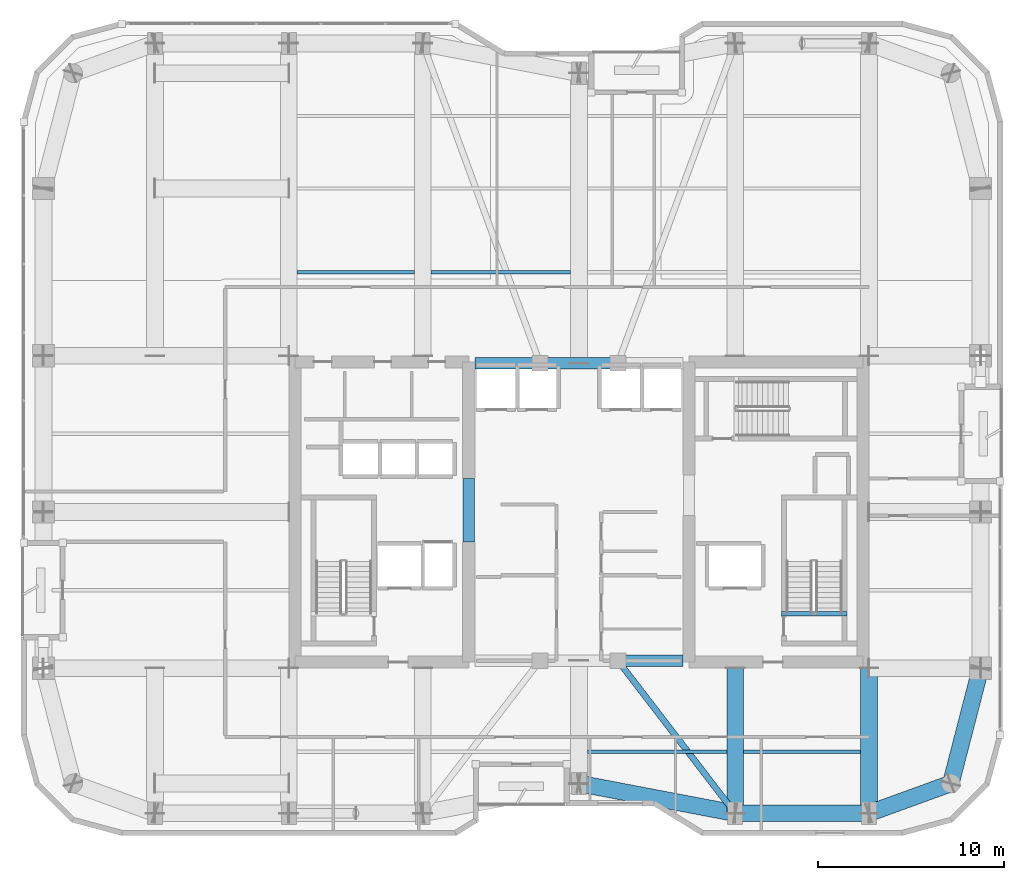
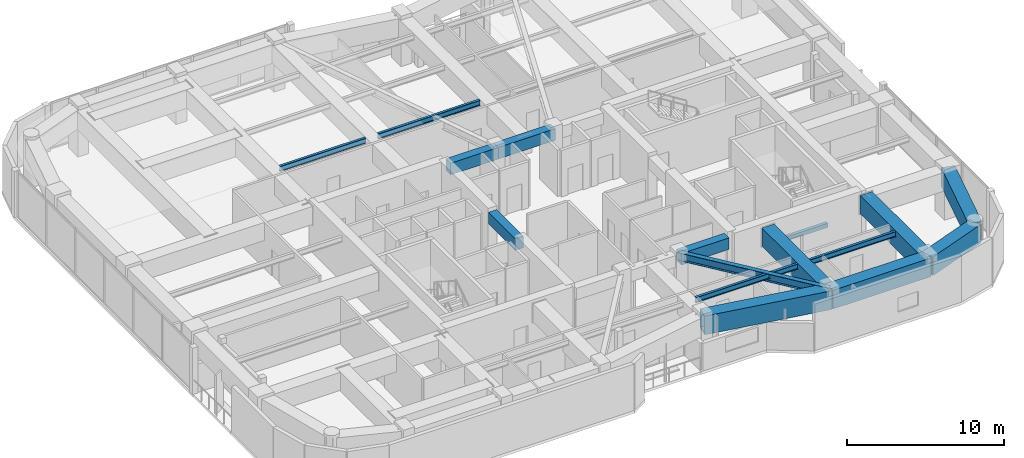
# One storey, part 8 of 30: 16 beams.
"""IFC4 building model written with IfcOpenShell, lengths in metres."""

import ifcopenshell
import ifcopenshell.guid

model = None  # the IFC model being written
_history = None  # IfcOwnerHistory: only IFC2X3 demands one
_inside = {}  # id of a spatial element -> (the spatial element, [elements in it])
_under = {}  # id of a project, library or spatial element -> (it, [spatial elements below it])
_declared = {}  # id of a project -> (the project, [libraries it declares])
_typed = {}  # id of a type object -> (the type object, [elements of that type])
_made_of = {}  # id of a material, layer set ... -> (it, [elements and type objects made of it])


def new_model(schema):
    """Start an empty IFC model of exactly this schema.

    Asked for "IFC4X3", IfcOpenShell would pick the latest addendum, in which some entities
    have other attributes; the version numbers below select the first issue.
    IFC2X3 requires an IfcOwnerHistory on every rooted entity: one is made here for all.
    """
    global model, _history
    if schema == "IFC4X3":
        model = ifcopenshell.file(schema_version=(4, 3, 0, 0))
    else:
        model = ifcopenshell.file(schema=schema)
    _inside.clear()
    _under.clear()
    _declared.clear()
    _typed.clear()
    _made_of.clear()
    _history = None
    if model.schema == "IFC2X3":
        org = make("IfcOrganization", Name="unknown")
        user = make(
            "IfcPersonAndOrganization",
            ThePerson=make("IfcPerson", FamilyName="unknown"),
            TheOrganization=org,
        )
        app = make(
            "IfcApplication",
            ApplicationDeveloper=org,
            Version="unknown",
            ApplicationFullName="unknown",
            ApplicationIdentifier="unknown",
        )
        _history = make(
            "IfcOwnerHistory",
            OwningUser=user,
            OwningApplication=app,
            ChangeAction="ADDED",
            CreationDate=0,
        )
    return model


def make(cls, **values):
    """One entity of the class cls with the attributes given. An attribute that is None is left unset."""
    return model.create_entity(
        cls, **{name: value for name, value in values.items() if value is not None}
    )


def rooted(cls, **values):
    """An entity with a GlobalId (a new one), such as an element, a storey or a relation."""
    return make(cls, GlobalId=ifcopenshell.guid.new(), OwnerHistory=_history, **values)


def si_unit(unit_type, name, prefix=None):
    """IfcSIUnit, for example si_unit("LENGTHUNIT", "METRE", prefix="MILLI")."""
    return make("IfcSIUnit", UnitType=unit_type, Prefix=prefix, Name=name)


def assignment(units):
    """IfcUnitAssignment: the units of a project."""
    return None if units is None else make("IfcUnitAssignment", Units=units)


def point(xyz):
    """IfcCartesianPoint."""
    return None if xyz is None else make("IfcCartesianPoint", Coordinates=xyz)


def direction(xyz):
    """IfcDirection."""
    return None if xyz is None else make("IfcDirection", DirectionRatios=xyz)


def frame(location, z_axis=None, x_axis=None):
    """IfcAxis2Placement3D, a coordinate frame: its origin and axes. An axis left out is left unset."""
    return make(
        "IfcAxis2Placement3D",
        Location=point(location),
        Axis=direction(z_axis),
        RefDirection=direction(x_axis),
    )


def frame_2d(location, x_axis=None):
    """IfcAxis2Placement2D, a coordinate frame in the plane: its origin and x axis."""
    return make(
        "IfcAxis2Placement2D", Location=point(location), RefDirection=direction(x_axis)
    )


def origin():
    """The frame at (0, 0, 0) with its axes left unset."""
    return frame((0.0, 0.0, 0.0))


def origin_2d():
    """The frame at (0, 0) in the plane with its x axis left unset."""
    return frame_2d((0.0, 0.0))


def place(relative_to, where):
    """IfcLocalPlacement: puts the frame where relative to a parent placement (None: the world)."""
    return make(
        "IfcLocalPlacement", PlacementRelTo=relative_to, RelativePlacement=where
    )


def context(
    kind, dimensions, precision=None, world=None, true_north=None, identifier=None
):
    """IfcGeometricRepresentationContext, for example the 3D "Model" context."""
    return make(
        "IfcGeometricRepresentationContext",
        ContextIdentifier=identifier,
        ContextType=kind,
        CoordinateSpaceDimension=dimensions,
        Precision=precision,
        WorldCoordinateSystem=world,
        TrueNorth=true_north,
    )


def subcontext(parent, identifier, kind, view, scale=None):
    """IfcGeometricRepresentationSubContext, for example "Body" below "Model"."""
    return make(
        "IfcGeometricRepresentationSubContext",
        ContextIdentifier=identifier,
        ContextType=kind,
        ParentContext=parent,
        TargetScale=scale,
        TargetView=view,
    )


def project(units=None, contexts=None):
    """IfcProject with its units and contexts."""
    return rooted(
        "IfcProject",
        Name="project",
        RepresentationContexts=contexts,
        UnitsInContext=assignment(units),
    )


def spatial(cls, under=None, at=None, **own):
    """A site, building, storey or space (cls), placed at a placement, below another one or the project."""
    s = rooted(cls, ObjectPlacement=at, **own)
    if under is not None:
        _under.setdefault(under.id(), (under, []))[1].append(s)
    return s


def profile(cls, at=None, kind="AREA", **sizes):
    """A parametric profile (cls). Its sizes go by their IFC names, for example OverallWidth=200.0."""
    return make(cls, ProfileType=kind, Position=at, **sizes)


def rectangle(**sizes):
    """IfcRectangleProfileDef."""
    return profile("IfcRectangleProfileDef", **sizes)


def hollow_rectangle(**sizes):
    """IfcRectangleHollowProfileDef."""
    return profile("IfcRectangleHollowProfileDef", **sizes)


def i_section(**sizes):
    """IfcIShapeProfileDef."""
    return profile("IfcIShapeProfileDef", **sizes)


def extrude(swept, where, along, depth):
    """IfcExtrudedAreaSolid: the profile swept, set in the frame where, extruded along a direction by depth."""
    return make(
        "IfcExtrudedAreaSolid",
        SweptArea=swept,
        Position=where,
        ExtrudedDirection=direction(along),
        Depth=depth,
    )


def shape(context_of_items, identifier, shape_type, items):
    """IfcShapeRepresentation: the items that make up one representation, for example the "Body"."""
    return make(
        "IfcShapeRepresentation",
        ContextOfItems=context_of_items,
        RepresentationIdentifier=identifier,
        RepresentationType=shape_type,
        Items=items,
    )


def material(Name=None, Category=None):
    """IfcMaterial."""
    return make("IfcMaterial", Name=Name, Category=Category)


def material_profile(
    of_material, cross_section, Name=None, Category=None, Priority=None
):
    """IfcMaterialProfile: a cross section and its material."""
    return make(
        "IfcMaterialProfile",
        Name=Name,
        Material=of_material,
        Profile=cross_section,
        Priority=Priority,
        Category=Category,
    )


def profile_set(profiles, Name=None, composite=None):
    """IfcMaterialProfileSet."""
    return make(
        "IfcMaterialProfileSet",
        Name=Name,
        MaterialProfiles=profiles,
        CompositeProfile=composite,
    )


def made_of(thing, what):
    """Note that an element or type object is made of a material, layer set ...; save() writes the relation."""
    if what is not None:
        _made_of.setdefault(what.id(), (what, []))[1].append(thing)
    return thing


def type_object(cls, material=None, **own):
    """A type object (cls), such as IfcWallType, which elements share."""
    return made_of(rooted(cls, **own), material)


def element(
    cls,
    number,
    at=None,
    inside=None,
    cuts=None,
    type_object=None,
    material=None,
    context=None,
    identifier="Body",
    shape_type=None,
    held_by="IfcProductDefinitionShape",
    body=None,
    shapes=None,
    **own,
):
    """One element of the class cls, such as IfcWall. Its Tag is "e" and its number.

    at: its placement. inside: the storey or other place that contains it. cuts: it is an
    opening in that element (IfcRelVoidsElement). A single representation is given by context,
    identifier, shape_type and body (its items); several are given by shapes. held_by: the class
    of the entity that holds the representations. save() writes the other relations.
    """
    e = rooted(cls, Tag="e%d" % number, ObjectPlacement=at, **own)
    if body is not None:
        shapes = [shape(context, identifier, shape_type, body)]
    if shapes is not None:
        e.Representation = make(held_by, Representations=shapes)
    if inside is not None:
        _inside.setdefault(inside.id(), (inside, []))[1].append(e)
    if cuts is not None:
        rooted(
            "IfcRelVoidsElement", RelatingBuildingElement=cuts, RelatedOpeningElement=e
        )
    if type_object is not None:
        _typed.setdefault(type_object.id(), (type_object, []))[1].append(e)
    return made_of(e, material)


def aggregate(whole, parts):
    """IfcRelAggregates: a whole, such as a stair, and the parts it consists of."""
    return rooted("IfcRelAggregates", RelatingObject=whole, RelatedObjects=parts)


def save(model, path):
    """Write the relations noted so far, then the file.

    IfcRelAggregates (storeys below a building ...), IfcRelContainedInSpatialStructure (elements
    in a storey), IfcRelDefinesByType, IfcRelAssociatesMaterial and IfcRelDeclares: one each for
    every whole, place, type object, material and project.
    """
    for whole, parts in _under.values():
        aggregate(whole, parts)
    for where, things in _inside.values():
        rooted(
            "IfcRelContainedInSpatialStructure",
            RelatedElements=things,
            RelatingStructure=where,
        )
    for kind, things in _typed.values():
        rooted("IfcRelDefinesByType", RelatedObjects=things, RelatingType=kind)
    for what, things in _made_of.values():
        rooted("IfcRelAssociatesMaterial", RelatedObjects=things, RelatingMaterial=what)
    for by, libraries in _declared.values():
        rooted("IfcRelDeclares", RelatingContext=by, RelatedDefinitions=libraries)
    model.write(path)


model = new_model("IFC4")

# Units and contexts
model_context = context("Model", 3, precision=1e-05, world=origin(), true_north=direction((0.0, 1.0)))
body_context = subcontext(model_context, "Body", "Model", "MODEL_VIEW")
ifc_project = project(units=[si_unit("LENGTHUNIT", "METRE"), si_unit("AREAUNIT", "SQUARE_METRE"), si_unit("VOLUMEUNIT", "CUBIC_METRE"), si_unit("PLANEANGLEUNIT", "RADIAN"), si_unit("MASSUNIT", "GRAM", prefix="KILO")], contexts=[model_context])

# Site, building, storey
site_placement = place(None, origin())
site = spatial("IfcSite", under=ifc_project, at=site_placement, CompositionType="ELEMENT")
building_placement = place(site_placement, origin())
building = spatial("IfcBuilding", under=site, at=building_placement, Name="Kiyonajd Concourse Tower", CompositionType="ELEMENT")
storey_placement = place(building_placement, frame((0.0, 0.0, 205.800048828125)))
storey = spatial("IfcBuildingStorey", under=building, at=storey_placement, Name="L52", CompositionType="ELEMENT", Elevation=205.800048828125)

# Beams
ifc_material_1 = material(Name="Concrete C60/75", Category="concrete")
ifc_material_profile_1 = material_profile(ifc_material_1, rectangle(XDim=0.60009765625, YDim=0.89990234375, at=origin_2d()), Name="RCBM-600x900")
ifc_profile_set_1 = profile_set([ifc_material_profile_1], Name="Concrete C60/75")
beam_type_1 = type_object("IfcBeamType", Name="BM-COUP-900", PredefinedType="LINTEL", material=ifc_profile_set_1)
for number, where, z_axis, x_axis, name in (
    (1, (50.10009765625, 28.0, 3.14990234375), (1.0, 0.0, 0.0), (0.0, 1.0, 0.0), "L52 Core Coupling Beam S3"),
    (2, (42.39990234375, 44.0, 3.14990234375), (1.0, 0.0, 0.0), (0.0, 1.0, 0.0), "L52 Core Coupling Beam N1"),
):
    element("IfcBeam", number, at=place(storey_placement, frame(where, z_axis=z_axis, x_axis=x_axis)), inside=storey, type_object=beam_type_1, Name=name, PredefinedType="LINTEL", context=body_context, shape_type="SweptSolid", body=[
        extrude(rectangle(XDim=0.60009765625, YDim=0.89990234375, at=origin_2d()), origin(), (0.0, 0.0, 1.0), 3.5),
    ])
beam_1_placement = place(storey_placement, frame((45.89990234375, 44.0, 3.14990234375), z_axis=(1.0, 0.0, 0.0), x_axis=(0.0, 1.0, 0.0)))
element("IfcBeam", 3, at=beam_1_placement, inside=storey, type_object=beam_type_1, Name="L52 Core Coupling Beam N2", PredefinedType="LINTEL", context=body_context, shape_type="SweptSolid", body=[
    extrude(rectangle(XDim=0.60009765625, YDim=0.89990234375, at=origin_2d()), origin(), (0.0, 0.0, 1.0), 4.2001953125),
])
beam_2_placement = place(storey_placement, frame((42.074951171875, 34.39990234375, 3.14990234375), z_axis=(0.0, 1.0, 0.0), x_axis=(-1.0, 0.0, 0.0)))
element("IfcBeam", 4, at=beam_2_placement, inside=storey, type_object=beam_type_1, Name="L52 West Core Throat Coupling Lintel", PredefinedType="LINTEL", context=body_context, shape_type="SweptSolid", body=[
    extrude(rectangle(XDim=0.60009765625, YDim=0.89990234375, at=origin_2d()), origin(), (0.0, 0.0, 1.0), 3.400146484375),
])
ifc_material_2 = material(Name="Steel ASTM A992 Grade 50", Category="steel")
ifc_material_profile_2 = material_profile(ifc_material_2, i_section(OverallWidth=0.180908203125, OverallDepth=0.4169921875, WebThickness=0.010986328125, FlangeThickness=0.018310546875, at=origin_2d()), Name="W410X85")
ifc_profile_set_2 = profile_set([ifc_material_profile_2], Name="Steel ASTM A992 Grade 50")
beam_type_2 = type_object("IfcBeamType", Name="BM-JST-410", PredefinedType="JOIST", material=ifc_profile_set_2)
beam_3_placement = place(storey_placement, frame((48.449951171875, 23.10009765625, 3.391357421875), z_axis=(1.0, 0.0, 0.0), x_axis=(0.0, 1.0, 0.0)))
element("IfcBeam", 5, at=beam_3_placement, inside=storey, type_object=beam_type_2, Name="L52 Secondary Floor Joist", PredefinedType="JOIST", context=body_context, shape_type="SweptSolid", body=[
    extrude(i_section(OverallWidth=0.180908203125, OverallDepth=0.4169921875, WebThickness=0.010986328125, FlangeThickness=0.018310546875, at=origin_2d()), origin(), (0.0, 0.0, 1.0), 7.5),
])
for number, where, z_axis, x_axis, name in (
    (6, (56.85009765625, 23.10009765625, 3.391357421875), (1.0, 0.0, 0.0), (0.0, 1.0, 0.0), "L52 Secondary Floor Joist"),
    (7, (32.85009765625, 48.89990234375, 3.391357421875), (1.0, 0.0, 0.0), (0.0, 1.0, 0.0), "L52 Secondary Floor Joist"),
):
    element("IfcBeam", number, at=place(storey_placement, frame(where, z_axis=z_axis, x_axis=x_axis)), inside=storey, type_object=beam_type_2, Name=name, PredefinedType="JOIST", context=body_context, shape_type="SweptSolid", body=[
        extrude(i_section(OverallWidth=0.180908203125, OverallDepth=0.4169921875, WebThickness=0.010986328125, FlangeThickness=0.018310546875, at=origin_2d()), origin(), (0.0, 0.0, 1.0), 6.2998046875),
    ])
beam_4_placement = place(storey_placement, frame((40.050048828125, 48.89990234375, 3.391357421875), z_axis=(1.0, 0.0, 0.0), x_axis=(0.0, 1.0, 0.0)))
element("IfcBeam", 8, at=beam_4_placement, inside=storey, type_object=beam_type_2, Name="L52 Secondary Floor Joist", PredefinedType="JOIST", context=body_context, shape_type="SweptSolid", body=[
    extrude(i_section(OverallWidth=0.180908203125, OverallDepth=0.4169921875, WebThickness=0.010986328125, FlangeThickness=0.018310546875, at=origin_2d()), origin(), (0.0, 0.0, 1.0), 7.5),
])
ifc_material_3 = material(Name="Concrete C50/60", Category="concrete")
ifc_material_profile_3 = material_profile(ifc_material_3, rectangle(XDim=0.239990234375, YDim=0.320068359375, at=origin_2d()), Name="RCBM-240x320")
ifc_profile_set_3 = profile_set([ifc_material_profile_3], Name="Concrete C50/60")
beam_type_3 = type_object("IfcBeamType", Name="BM-LNT-250", PredefinedType="LINTEL", material=ifc_profile_set_3)
beam_5_placement = place(storey_placement, frame((58.889892578125, 30.530029296875, -0.16015625), z_axis=(1.0, 0.0, 0.0), x_axis=(0.0, 1.0, 0.0)))
element("IfcBeam", 9, at=beam_5_placement, inside=storey, type_object=beam_type_3, Name="L52 Stair ST2 Threshold Support Beam", PredefinedType="LINTEL", context=body_context, shape_type="SweptSolid", body=[
    extrude(rectangle(XDim=0.239990234375, YDim=0.320068359375, at=origin_2d()), origin(), (0.0, 0.0, 1.0), 3.52001953125),
])
ifc_material_profile_4 = material_profile(ifc_material_2, i_section(OverallWidth=0.326904296875, OverallDepth=0.6220703125, WebThickness=0.015380859375, FlangeThickness=0.0244140625, at=origin_2d()), Name="W610X195")
ifc_profile_set_4 = profile_set([ifc_material_profile_4], Name="Steel ASTM A992 Grade 50")
beam_type_4 = type_object("IfcBeamType", Name="BM-TWR-610A", PredefinedType="BEAM", material=ifc_profile_set_4)
beam_6_placement = place(storey_placement, frame((50.10009765625, 28.0, 3.2890625), z_axis=(0.609233709922, -0.792990722956, 0.0), x_axis=(0.792990722956, 0.609233709922, 0.0)))
element("IfcBeam", 10, at=beam_6_placement, inside=storey, type_object=beam_type_4, Name="L52 Core Tie Girder", PredefinedType="BEAM", context=body_context, shape_type="SweptSolid", body=[
    extrude(i_section(OverallWidth=0.326904296875, OverallDepth=0.6220703125, WebThickness=0.015380859375, FlangeThickness=0.0244140625, at=origin_2d()), origin(), (0.0, 0.0, 1.0), 10.340576171875),
])
ifc_material_4 = material(Name="Steel ASTM A572 Grade 50", Category="steel")
ifc_material_profile_5 = material_profile(ifc_material_4, hollow_rectangle(XDim=0.89990234375, YDim=1.39990234375, WallThickness=0.070068359375, at=origin_2d()), Name="BOX-1400x900x70")
ifc_profile_set_5 = profile_set([ifc_material_profile_5], Name="Steel ASTM A572 Grade 50")
beam_type_5 = type_object("IfcBeamType", Name="BM-XFER-1400", PredefinedType="BEAM", material=ifc_profile_set_5)
for number, where, z_axis, x_axis, name in (
    (11, (56.39990234375, 19.800048828125, 2.89990234375), (0.0, 1.0, 0.0), (-1.0, 0.0, 0.0), "L52 South Lease Girder"),
    (12, (63.60009765625, 19.800048828125, 2.89990234375), (0.0, 1.0, 0.0), (-1.0, 0.0, 0.0), "L52 South Lease Girder"),
):
    element("IfcBeam", number, at=place(storey_placement, frame(where, z_axis=z_axis, x_axis=x_axis)), inside=storey, type_object=beam_type_5, Name=name, PredefinedType="BEAM", context=body_context, shape_type="SweptSolid", body=[
        extrude(hollow_rectangle(XDim=0.89990234375, YDim=1.39990234375, WallThickness=0.070068359375, at=origin_2d()), origin(), (0.0, 0.0, 1.0), 7.800048828125),
    ])
ifc_material_profile_6 = material_profile(ifc_material_4, hollow_rectangle(XDim=0.89990234375, YDim=1.449951171875, WallThickness=0.074951171875, at=origin_2d()), Name="BOX-1450x900x75")
ifc_profile_set_6 = profile_set([ifc_material_profile_6], Name="Steel ASTM A572 Grade 50")
beam_type_6 = type_object("IfcBeamType", Name="BM-XFER-1800", PredefinedType="BEAM", material=ifc_profile_set_6)
beam_7_placement = place(storey_placement, frame((48.0, 21.39990234375, 2.875), z_axis=(0.982341315253, -0.187097675953, 0.0), x_axis=(0.187097675953, 0.982341315253, 0.0)))
element("IfcBeam", 13, at=beam_7_placement, inside=storey, type_object=beam_type_6, Name="L52 Perimeter Bundled Tube Spandrel", PredefinedType="BEAM", context=body_context, shape_type="SweptSolid", body=[
    extrude(hollow_rectangle(XDim=0.89990234375, YDim=1.449951171875, WallThickness=0.074951171875, at=origin_2d()), origin(), (0.0, 0.0, 1.0), 8.55078125),
])
beam_8_placement = place(storey_placement, frame((56.39990234375, 19.800048828125, 2.875), z_axis=(1.0, 0.0, 0.0), x_axis=(0.0, 1.0, 0.0)))
element("IfcBeam", 14, at=beam_8_placement, inside=storey, type_object=beam_type_6, Name="L52 Perimeter Bundled Tube Spandrel", PredefinedType="BEAM", context=body_context, shape_type="SweptSolid", body=[
    extrude(hollow_rectangle(XDim=0.89990234375, YDim=1.449951171875, WallThickness=0.074951171875, at=origin_2d()), origin(), (0.0, 0.0, 1.0), 7.2001953125),
])
beam_9_placement = place(storey_placement, frame((63.60009765625, 19.800048828125, 2.875), z_axis=(0.939801036019, 0.341722127901, 0.0), x_axis=(-0.341722127901, 0.939801036019, 0.0)))
element("IfcBeam", 15, at=beam_9_placement, inside=storey, type_object=beam_type_6, Name="L52 Perimeter Bundled Tube Spandrel", PredefinedType="BEAM", context=body_context, shape_type="SweptSolid", body=[
    extrude(hollow_rectangle(XDim=0.89990234375, YDim=1.449951171875, WallThickness=0.074951171875, at=origin_2d()), origin(), (0.0, 0.0, 1.0), 4.681640625),
])
beam_10_placement = place(storey_placement, frame((68.0, 21.39990234375, 2.875), z_axis=(0.249884937687, 0.968275538221, 0.0), x_axis=(-0.968275538221, 0.249884937687, 0.0)))
element("IfcBeam", 16, at=beam_10_placement, inside=storey, type_object=beam_type_6, Name="L52 Perimeter Bundled Tube Spandrel", PredefinedType="BEAM", context=body_context, shape_type="SweptSolid", body=[
    extrude(hollow_rectangle(XDim=0.89990234375, YDim=1.449951171875, WallThickness=0.074951171875, at=origin_2d()), origin(), (0.0, 0.0, 1.0), 6.4033203125),
])

save(model, "model.ifc")
